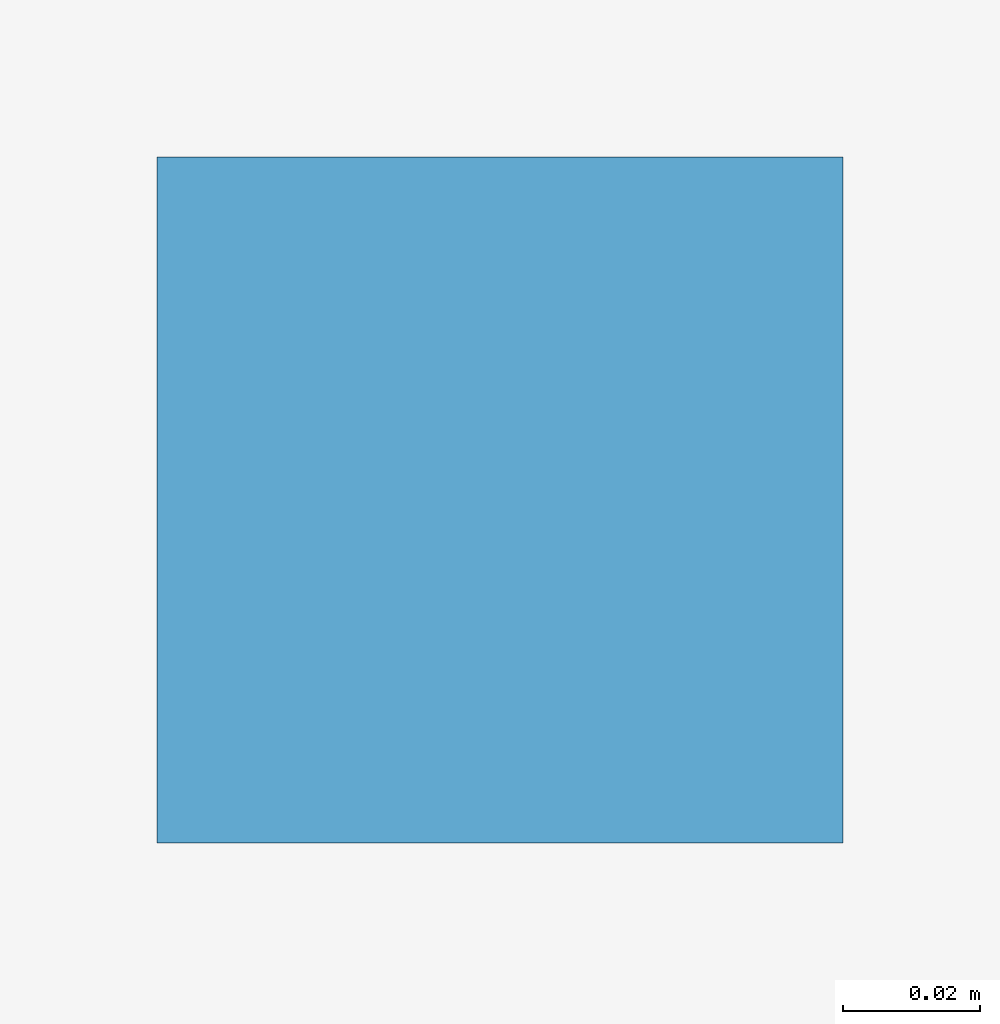
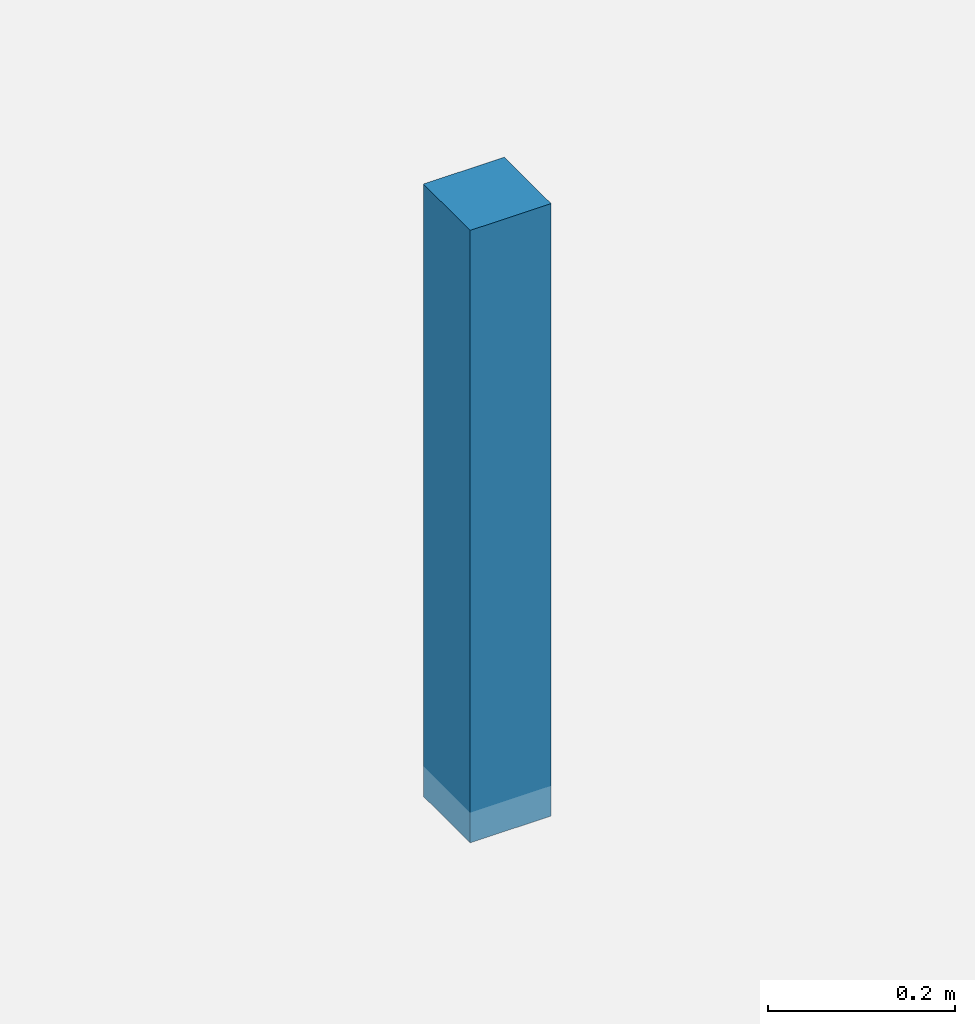
# One storey, part 11 of 13: 1 discrete accessory.
"""IFC4 building model written with IfcOpenShell, lengths in metres."""

from ifc_helpers import new_model, si_unit, direction, frame, origin, origin_2d, place, context, subcontext, project, spatial, rectangle, extrude, material, type_object, element, save


model = new_model("IFC4")

# Units and contexts
model_context = context("Model", 3, precision=1e-05, world=origin(), true_north=direction((0.0, 1.0)))
body_context = subcontext(model_context, "Body", "Model", "MODEL_VIEW")
ifc_project = project(units=[si_unit("LENGTHUNIT", "METRE"), si_unit("AREAUNIT", "SQUARE_METRE"), si_unit("VOLUMEUNIT", "CUBIC_METRE"), si_unit("PLANEANGLEUNIT", "RADIAN"), si_unit("MASSUNIT", "GRAM", prefix="KILO"), si_unit("THERMODYNAMICTEMPERATUREUNIT", "KELVIN"), si_unit("POWERUNIT", "WATT")], contexts=[model_context])

# Site, building, storey
site_placement = place(None, origin())
site = spatial("IfcSite", under=ifc_project, at=site_placement, CompositionType="ELEMENT")
building_placement = place(site_placement, origin())
building = spatial("IfcBuilding", under=site, at=building_placement, Name="Solmara Park Aquatics Centre", CompositionType="ELEMENT")
storey_placement = place(building_placement, frame((0.0, 0.0, 14.39990234375)))
storey = spatial("IfcBuildingStorey", under=building, at=storey_placement, Name="L03", CompositionType="ELEMENT", Elevation=14.39990234375)

# Discrete accessory
ifc_material = material(Name="Galvanised Steel Ceiling Suspension Bracket", Category="steel")
discrete_accessory_type = type_object("IfcDiscreteAccessoryType", Name="ARC-ACC-HNG", PredefinedType="BRACKET", material=ifc_material)
discrete_accessory_placement = place(storey_placement, frame((94.699951171875, 128.35009765625, 3.080078125), z_axis=(0.0, 0.0, 1.0), x_axis=(1.0, 0.0, 0.0)))
element("IfcDiscreteAccessory", 1, at=discrete_accessory_placement, inside=storey, type_object=discrete_accessory_type, Name="Ceiling Hanger Bracket L03-ADM-01", PredefinedType="BRACKET", context=body_context, shape_type="SweptSolid", body=[
    extrude(rectangle(XDim=0.10009765625, YDim=0.10009765625, at=origin_2d()), origin(), (0.0, 0.0, 1.0), 0.800048828125),
])

save(model, "model.ifc")
